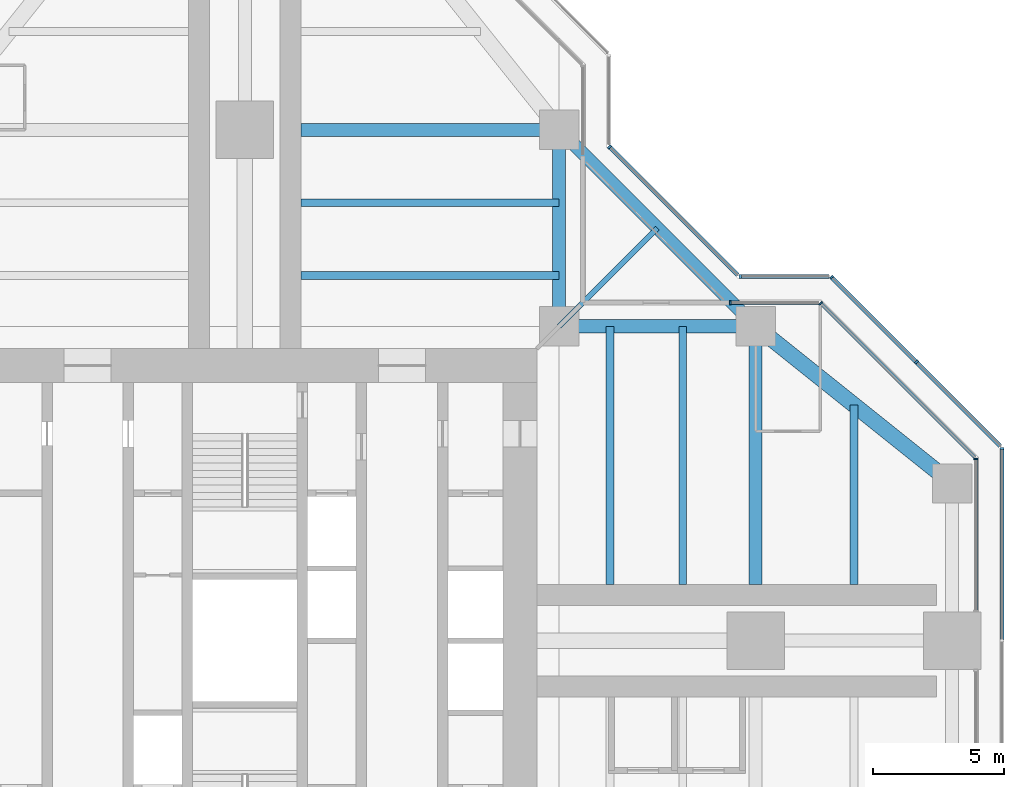
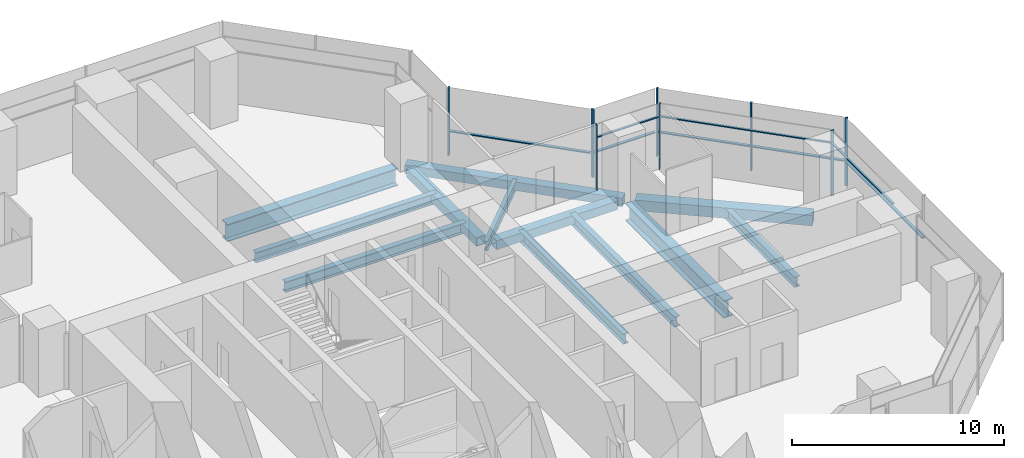
# One storey, part 8 of 17: 16 members, 12 beams, 7 elements without a shape of their own.
"""IFC4 building model written with IfcOpenShell, lengths in metres."""

import ifcopenshell
import ifcopenshell.guid

model = None  # the IFC model being written
_history = None  # IfcOwnerHistory: only IFC2X3 demands one
_inside = {}  # id of a spatial element -> (the spatial element, [elements in it])
_under = {}  # id of a project, library or spatial element -> (it, [spatial elements below it])
_declared = {}  # id of a project -> (the project, [libraries it declares])
_typed = {}  # id of a type object -> (the type object, [elements of that type])
_made_of = {}  # id of a material, layer set ... -> (it, [elements and type objects made of it])


def new_model(schema):
    """Start an empty IFC model of exactly this schema.

    Asked for "IFC4X3", IfcOpenShell would pick the latest addendum, in which some entities
    have other attributes; the version numbers below select the first issue.
    IFC2X3 requires an IfcOwnerHistory on every rooted entity: one is made here for all.
    """
    global model, _history
    if schema == "IFC4X3":
        model = ifcopenshell.file(schema_version=(4, 3, 0, 0))
    else:
        model = ifcopenshell.file(schema=schema)
    _inside.clear()
    _under.clear()
    _declared.clear()
    _typed.clear()
    _made_of.clear()
    _history = None
    if model.schema == "IFC2X3":
        org = make("IfcOrganization", Name="unknown")
        user = make(
            "IfcPersonAndOrganization",
            ThePerson=make("IfcPerson", FamilyName="unknown"),
            TheOrganization=org,
        )
        app = make(
            "IfcApplication",
            ApplicationDeveloper=org,
            Version="unknown",
            ApplicationFullName="unknown",
            ApplicationIdentifier="unknown",
        )
        _history = make(
            "IfcOwnerHistory",
            OwningUser=user,
            OwningApplication=app,
            ChangeAction="ADDED",
            CreationDate=0,
        )
    return model


def make(cls, **values):
    """One entity of the class cls with the attributes given. An attribute that is None is left unset."""
    return model.create_entity(
        cls, **{name: value for name, value in values.items() if value is not None}
    )


def rooted(cls, **values):
    """An entity with a GlobalId (a new one), such as an element, a storey or a relation."""
    return make(cls, GlobalId=ifcopenshell.guid.new(), OwnerHistory=_history, **values)


def si_unit(unit_type, name, prefix=None):
    """IfcSIUnit, for example si_unit("LENGTHUNIT", "METRE", prefix="MILLI")."""
    return make("IfcSIUnit", UnitType=unit_type, Prefix=prefix, Name=name)


def assignment(units):
    """IfcUnitAssignment: the units of a project."""
    return None if units is None else make("IfcUnitAssignment", Units=units)


def point(xyz):
    """IfcCartesianPoint."""
    return None if xyz is None else make("IfcCartesianPoint", Coordinates=xyz)


def direction(xyz):
    """IfcDirection."""
    return None if xyz is None else make("IfcDirection", DirectionRatios=xyz)


def frame(location, z_axis=None, x_axis=None):
    """IfcAxis2Placement3D, a coordinate frame: its origin and axes. An axis left out is left unset."""
    return make(
        "IfcAxis2Placement3D",
        Location=point(location),
        Axis=direction(z_axis),
        RefDirection=direction(x_axis),
    )


def frame_2d(location, x_axis=None):
    """IfcAxis2Placement2D, a coordinate frame in the plane: its origin and x axis."""
    return make(
        "IfcAxis2Placement2D", Location=point(location), RefDirection=direction(x_axis)
    )


def origin():
    """The frame at (0, 0, 0) with its axes left unset."""
    return frame((0.0, 0.0, 0.0))


def origin_2d():
    """The frame at (0, 0) in the plane with its x axis left unset."""
    return frame_2d((0.0, 0.0))


def place(relative_to, where):
    """IfcLocalPlacement: puts the frame where relative to a parent placement (None: the world)."""
    return make(
        "IfcLocalPlacement", PlacementRelTo=relative_to, RelativePlacement=where
    )


def context(
    kind, dimensions, precision=None, world=None, true_north=None, identifier=None
):
    """IfcGeometricRepresentationContext, for example the 3D "Model" context."""
    return make(
        "IfcGeometricRepresentationContext",
        ContextIdentifier=identifier,
        ContextType=kind,
        CoordinateSpaceDimension=dimensions,
        Precision=precision,
        WorldCoordinateSystem=world,
        TrueNorth=true_north,
    )


def subcontext(parent, identifier, kind, view, scale=None):
    """IfcGeometricRepresentationSubContext, for example "Body" below "Model"."""
    return make(
        "IfcGeometricRepresentationSubContext",
        ContextIdentifier=identifier,
        ContextType=kind,
        ParentContext=parent,
        TargetScale=scale,
        TargetView=view,
    )


def project(units=None, contexts=None):
    """IfcProject with its units and contexts."""
    return rooted(
        "IfcProject",
        Name="project",
        RepresentationContexts=contexts,
        UnitsInContext=assignment(units),
    )


def spatial(cls, under=None, at=None, **own):
    """A site, building, storey or space (cls), placed at a placement, below another one or the project."""
    s = rooted(cls, ObjectPlacement=at, **own)
    if under is not None:
        _under.setdefault(under.id(), (under, []))[1].append(s)
    return s


def profile(cls, at=None, kind="AREA", **sizes):
    """A parametric profile (cls). Its sizes go by their IFC names, for example OverallWidth=200.0."""
    return make(cls, ProfileType=kind, Position=at, **sizes)


def rectangle(**sizes):
    """IfcRectangleProfileDef."""
    return profile("IfcRectangleProfileDef", **sizes)


def hollow_rectangle(**sizes):
    """IfcRectangleHollowProfileDef."""
    return profile("IfcRectangleHollowProfileDef", **sizes)


def i_section(**sizes):
    """IfcIShapeProfileDef."""
    return profile("IfcIShapeProfileDef", **sizes)


def extrude(swept, where, along, depth):
    """IfcExtrudedAreaSolid: the profile swept, set in the frame where, extruded along a direction by depth."""
    return make(
        "IfcExtrudedAreaSolid",
        SweptArea=swept,
        Position=where,
        ExtrudedDirection=direction(along),
        Depth=depth,
    )


def shape(context_of_items, identifier, shape_type, items):
    """IfcShapeRepresentation: the items that make up one representation, for example the "Body"."""
    return make(
        "IfcShapeRepresentation",
        ContextOfItems=context_of_items,
        RepresentationIdentifier=identifier,
        RepresentationType=shape_type,
        Items=items,
    )


def material(Name=None, Category=None):
    """IfcMaterial."""
    return make("IfcMaterial", Name=Name, Category=Category)


def material_profile(
    of_material, cross_section, Name=None, Category=None, Priority=None
):
    """IfcMaterialProfile: a cross section and its material."""
    return make(
        "IfcMaterialProfile",
        Name=Name,
        Material=of_material,
        Profile=cross_section,
        Priority=Priority,
        Category=Category,
    )


def profile_set(profiles, Name=None, composite=None):
    """IfcMaterialProfileSet."""
    return make(
        "IfcMaterialProfileSet",
        Name=Name,
        MaterialProfiles=profiles,
        CompositeProfile=composite,
    )


def made_of(thing, what):
    """Note that an element or type object is made of a material, layer set ...; save() writes the relation."""
    if what is not None:
        _made_of.setdefault(what.id(), (what, []))[1].append(thing)
    return thing


def type_object(cls, material=None, **own):
    """A type object (cls), such as IfcWallType, which elements share."""
    return made_of(rooted(cls, **own), material)


def element(
    cls,
    number,
    at=None,
    inside=None,
    cuts=None,
    type_object=None,
    material=None,
    context=None,
    identifier="Body",
    shape_type=None,
    held_by="IfcProductDefinitionShape",
    body=None,
    shapes=None,
    **own,
):
    """One element of the class cls, such as IfcWall. Its Tag is "e" and its number.

    at: its placement. inside: the storey or other place that contains it. cuts: it is an
    opening in that element (IfcRelVoidsElement). A single representation is given by context,
    identifier, shape_type and body (its items); several are given by shapes. held_by: the class
    of the entity that holds the representations. save() writes the other relations.
    """
    e = rooted(cls, Tag="e%d" % number, ObjectPlacement=at, **own)
    if body is not None:
        shapes = [shape(context, identifier, shape_type, body)]
    if shapes is not None:
        e.Representation = make(held_by, Representations=shapes)
    if inside is not None:
        _inside.setdefault(inside.id(), (inside, []))[1].append(e)
    if cuts is not None:
        rooted(
            "IfcRelVoidsElement", RelatingBuildingElement=cuts, RelatedOpeningElement=e
        )
    if type_object is not None:
        _typed.setdefault(type_object.id(), (type_object, []))[1].append(e)
    return made_of(e, material)


def aggregate(whole, parts):
    """IfcRelAggregates: a whole, such as a stair, and the parts it consists of."""
    return rooted("IfcRelAggregates", RelatingObject=whole, RelatedObjects=parts)


def save(model, path):
    """Write the relations noted so far, then the file.

    IfcRelAggregates (storeys below a building ...), IfcRelContainedInSpatialStructure (elements
    in a storey), IfcRelDefinesByType, IfcRelAssociatesMaterial and IfcRelDeclares: one each for
    every whole, place, type object, material and project.
    """
    for whole, parts in _under.values():
        aggregate(whole, parts)
    for where, things in _inside.values():
        rooted(
            "IfcRelContainedInSpatialStructure",
            RelatedElements=things,
            RelatingStructure=where,
        )
    for kind, things in _typed.values():
        rooted("IfcRelDefinesByType", RelatedObjects=things, RelatingType=kind)
    for what, things in _made_of.values():
        rooted("IfcRelAssociatesMaterial", RelatedObjects=things, RelatingMaterial=what)
    for by, libraries in _declared.values():
        rooted("IfcRelDeclares", RelatingContext=by, RelatedDefinitions=libraries)
    model.write(path)


model = new_model("IFC4")

# Units and contexts
model_context = context("Model", 3, precision=1e-05, world=origin(), true_north=direction((0.0, 1.0)))
body_context = subcontext(model_context, "Body", "Model", "MODEL_VIEW")
ifc_project = project(units=[si_unit("LENGTHUNIT", "METRE"), si_unit("AREAUNIT", "SQUARE_METRE"), si_unit("VOLUMEUNIT", "CUBIC_METRE"), si_unit("PLANEANGLEUNIT", "RADIAN"), si_unit("MASSUNIT", "GRAM", prefix="KILO")], contexts=[model_context])

# Site, building, storey
site_placement = place(None, origin())
site = spatial("IfcSite", under=ifc_project, at=site_placement, CompositionType="ELEMENT")
building_placement = place(site_placement, origin())
building = spatial("IfcBuilding", under=site, at=building_placement, Name="Mizan Broadcast Tower", CompositionType="ELEMENT")
storey_placement = place(building_placement, frame((0.0, 0.0, 247.800048828125)))
storey = spatial("IfcBuildingStorey", under=building, at=storey_placement, Name="L58", CompositionType="ELEMENT", Elevation=247.800048828125)

# Beams
ifc_material_1 = material(Name="Steel S355", Category="steel")
ifc_material_profile_1 = material_profile(ifc_material_1, hollow_rectangle(XDim=0.5, YDim=0.5, WallThickness=0.030029296875, at=origin_2d()), Name="BOX 500x500x30")
ifc_profile_set_1 = profile_set([ifc_material_profile_1], Name="Steel S355")
beam_type_1 = type_object("IfcBeamType", Name="EDGE BEAM BOX 500x500x30", PredefinedType="SPANDREL", material=ifc_profile_set_1)
for number, where, z_axis, x_axis, name in (
    (1, (12.449951171875, 12.0, -0.380126953125), (1.0, 0.0, 0.0), (0.0, 1.0, 0.0), "Edge beam BOX 500x500x30 L58 east arm"),
    (2, (12.0, 12.449951171875, -0.380126953125), (0.0, 1.0, 0.0), (-1.0, 0.0, 0.0), "Edge beam BOX 500x500x30 L58 north arm"),
):
    element("IfcBeam", number, at=place(storey_placement, frame(where, z_axis=z_axis, x_axis=x_axis)), inside=storey, type_object=beam_type_1, Name=name, PredefinedType="SPANDREL", context=body_context, shape_type="SweptSolid", body=[
        extrude(hollow_rectangle(XDim=0.5, YDim=0.5, WallThickness=0.030029296875, at=origin_2d()), origin(), (0.0, 0.0, 1.0), 6.60009765625),
    ])
beam_1_placement = place(storey_placement, frame((19.5, 12.0, -0.380126953125), z_axis=(-0.707106781187, 0.707106781187, 0.0), x_axis=(-0.707106781187, -0.707106781187, 0.0)))
element("IfcBeam", 3, at=beam_1_placement, inside=storey, type_object=beam_type_1, Name="Winter garden edge beam L58 E", PredefinedType="SPANDREL", context=body_context, shape_type="SweptSolid", body=[
    extrude(hollow_rectangle(XDim=0.5, YDim=0.5, WallThickness=0.030029296875, at=origin_2d()), origin(), (0.0, 0.0, 1.0), 10.606689453125),
])
ifc_material_2 = material(Name="Steel S355", Category="steel")
ifc_material_profile_2 = material_profile(ifc_material_2, hollow_rectangle(XDim=0.60009765625, YDim=0.60009765625, WallThickness=0.030029296875, at=origin_2d()), Name="BOX 600x600x30")
ifc_profile_set_2 = profile_set([ifc_material_profile_2], Name="Steel S355")
beam_type_2 = type_object("IfcBeamType", Name="EDGE BEAM BOX 600x600x30", PredefinedType="SPANDREL", material=ifc_profile_set_2)
beam_2_placement = place(storey_placement, frame((19.949951171875, 11.639892578125, -0.429931640625), z_axis=(0.780885717636, -0.624673911726, 0.0), x_axis=(0.624673911726, 0.780885717636, 0.0)))
element("IfcBeam", 4, at=beam_2_placement, inside=storey, type_object=beam_type_2, Name="Edge beam BOX 600x600x30 L58 east arm", PredefinedType="SPANDREL", context=body_context, shape_type="SweptSolid", body=[
    extrude(hollow_rectangle(XDim=0.60009765625, YDim=0.60009765625, WallThickness=0.030029296875, at=origin_2d()), origin(), (0.0, 0.0, 1.0), 8.4521484375),
])
ifc_material_3 = material(Name="Steel S460", Category="steel")
ifc_material_profile_3 = material_profile(ifc_material_3, i_section(OverallWidth=0.5, OverallDepth=1.0, WebThickness=0.02490234375, FlangeThickness=0.050048828125, at=origin_2d()), Name="WPG 1000x500")
ifc_profile_set_3 = profile_set([ifc_material_profile_3], Name="Steel S460")
beam_type_3 = type_object("IfcBeamType", Name="GIRDER WPG 1000x500", PredefinedType="BEAM", material=ifc_profile_set_3)
for number, where, z_axis, x_axis, name in (
    (5, (19.5, 11.408935546875, -0.630126953125), (0.0, -1.0, 0.0), (1.0, 0.0, 0.0), "Girder WPG 1000x500 L58 east arm"),
    (6, (11.408935546875, 19.5, -0.630126953125), (-1.0, 0.0, 0.0), (0.0, -1.0, 0.0), "Girder WPG 1000x500 L58 north arm"),
):
    element("IfcBeam", number, at=place(storey_placement, frame(where, z_axis=z_axis, x_axis=x_axis)), inside=storey, type_object=beam_type_3, Name=name, PredefinedType="BEAM", context=body_context, shape_type="SweptSolid", body=[
        extrude(i_section(OverallWidth=0.5, OverallDepth=1.0, WebThickness=0.02490234375, FlangeThickness=0.050048828125, at=origin_2d()), origin(), (0.0, 0.0, 1.0), 9.259033203125),
    ])

# Curtain wall, member
ifc_material_4 = material(Name="Aluminium framed glazing", Category="aluminium")
curtain_wall_type_1 = type_object("IfcCurtainWallType", Name="INNER SKIN HIGH ZONE", PredefinedType="USERDEFINED", material=ifc_material_4)
curtain_wall_1_placement = place(storey_placement, origin())
curtain_wall_1 = element("IfcCurtainWall", 7, at=curtain_wall_1_placement, inside=storey, type_object=curtain_wall_type_1, Name="Inner skin high zone L58 E end", ObjectType="INNER SKIN HIGH ZONE", PredefinedType="USERDEFINED")
ifc_material_5 = material(Name="Aluminium, pale anodised", Category="aluminium")
ifc_material_profile_4 = material_profile(ifc_material_5, rectangle(XDim=0.159912109375, YDim=0.06005859375, at=origin_2d()), Name="MULLION 160x60")
ifc_profile_set_4 = profile_set([ifc_material_profile_4], Name="Aluminium, pale anodised")
member_type_1 = type_object("IfcMemberType", Name="INNER SKIN MULLION 60x160", PredefinedType="MULLION", material=ifc_profile_set_4)
member_1_placement = place(storey_placement, frame((27.89990234375, 6.928466796875, 0.0), z_axis=(0.0, 0.0, 1.0), x_axis=(-1.0, 0.0, 0.0)))
member_1 = element("IfcMember", 8, at=member_1_placement, type_object=member_type_1, Name="Inner skin high zone L58 E end mullion 2", PredefinedType="MULLION", context=body_context, shape_type="SweptSolid", body=[
    extrude(rectangle(XDim=0.159912109375, YDim=0.06005859375, at=origin_2d()), origin(), (0.0, 0.0, 1.0), 3.77001953125),
])

curtain_wall_2_placement = place(storey_placement, origin())
curtain_wall_2 = element("IfcCurtainWall", 9, at=curtain_wall_2_placement, inside=storey, type_object=curtain_wall_type_1, Name="Inner skin high zone L58 E chamfer", ObjectType="INNER SKIN HIGH ZONE", PredefinedType="USERDEFINED")
member_2_placement = place(storey_placement, frame((21.979736328125, 12.87890625, 0.0), z_axis=(0.0, 0.0, 1.0), x_axis=(-0.707106781187, -0.707106781187, 0.0)))
member_2 = element("IfcMember", 10, at=member_2_placement, type_object=member_type_1, Name="Inner skin high zone L58 E chamfer mullion 2", PredefinedType="MULLION", context=body_context, shape_type="SweptSolid", body=[
    extrude(rectangle(XDim=0.159912109375, YDim=0.06005859375, at=origin_2d()), origin(), (0.0, 0.0, 1.0), 3.77001953125),
])

curtain_wall_3_placement = place(storey_placement, origin())
curtain_wall_3 = element("IfcCurtainWall", 11, at=curtain_wall_3_placement, inside=storey, type_object=curtain_wall_type_1, Name="Inner skin high zone L58 E side", ObjectType="INNER SKIN HIGH ZONE", PredefinedType="USERDEFINED")
member_3_placement = place(storey_placement, frame((18.530029296875, 12.89990234375, 0.0), z_axis=(0.0, 0.0, 1.0), x_axis=(0.0, -1.0, 0.0)))
member_3 = element("IfcMember", 12, at=member_3_placement, type_object=member_type_1, Name="Inner skin high zone L58 E side mullion 2", PredefinedType="MULLION", context=body_context, shape_type="SweptSolid", body=[
    extrude(rectangle(XDim=0.159912109375, YDim=0.06005859375, at=origin_2d()), origin(), (0.0, 0.0, 1.0), 3.77001953125),
])

# Member
ifc_material_6 = material(Name="Aluminium, pale anodised", Category="aluminium")
ifc_material_profile_5 = material_profile(ifc_material_6, rectangle(XDim=0.1201171875, YDim=0.06005859375, at=origin_2d()), Name="TRANSOM 120x60")
ifc_profile_set_5 = profile_set([ifc_material_profile_5], Name="Aluminium, pale anodised")
member_type_2 = type_object("IfcMemberType", Name="INNER SKIN TRANSOM 60x120", PredefinedType="USERDEFINED", material=ifc_profile_set_5)
member_4_placement = place(storey_placement, frame((27.89990234375, 1.159912109375, 3.030029296875), z_axis=(0.0, 1.0, 0.0), x_axis=(-1.0, 0.0, 0.0)))
member_4 = element("IfcMember", 13, at=member_4_placement, type_object=member_type_2, Name="Inner skin high zone L58 E end transom 1.1", ObjectType="TRANSOM", PredefinedType="USERDEFINED", context=body_context, shape_type="SweptSolid", body=[
    extrude(rectangle(XDim=0.1201171875, YDim=0.06005859375, at=origin_2d()), origin(), (0.0, 0.0, 1.0), 5.73876953125),
])

aggregate(curtain_wall_1, [member_1, member_4])

member_5_placement = place(storey_placement, frame((27.857666015625, 7.0009765625, 3.030029296875), z_axis=(-0.707106781187, 0.707106781187, 0.0), x_axis=(-0.707106781187, -0.707106781187, 0.0)))
member_5 = element("IfcMember", 14, at=member_5_placement, type_object=member_type_2, Name="Inner skin high zone L58 E chamfer transom 1.1", ObjectType="TRANSOM", PredefinedType="USERDEFINED", context=body_context, shape_type="SweptSolid", body=[
    extrude(rectangle(XDim=0.1201171875, YDim=0.06005859375, at=origin_2d()), origin(), (0.0, 0.0, 1.0), 8.28271484375),
])

aggregate(curtain_wall_2, [member_2, member_5])

member_6_placement = place(storey_placement, frame((21.898681640625, 12.89990234375, 3.030029296875), z_axis=(-1.0, 0.0, 0.0), x_axis=(0.0, -1.0, 0.0)))
member_6 = element("IfcMember", 15, at=member_6_placement, type_object=member_type_2, Name="Inner skin high zone L58 E side transom 1.1", ObjectType="TRANSOM", PredefinedType="USERDEFINED", context=body_context, shape_type="SweptSolid", body=[
    extrude(rectangle(XDim=0.1201171875, YDim=0.06005859375, at=origin_2d()), origin(), (0.0, 0.0, 1.0), 3.338623046875),
])

aggregate(curtain_wall_3, [member_3, member_6])

# Curtain wall, member
ifc_material_7 = material(Name="Aluminium framed glazing", Category="aluminium")
curtain_wall_type_2 = type_object("IfcCurtainWallType", Name="OUTER SKIN", PredefinedType="USERDEFINED", material=ifc_material_7)
curtain_wall_4_placement = place(storey_placement, origin())
curtain_wall_4 = element("IfcCurtainWall", 16, at=curtain_wall_4_placement, inside=storey, type_object=curtain_wall_type_2, Name="Outer skin L58 E end", ObjectType="OUTER SKIN", PredefinedType="USERDEFINED")
ifc_material_8 = material(Name="Aluminium, pale anodised", Category="aluminium")
ifc_material_profile_6 = material_profile(ifc_material_8, rectangle(XDim=0.159912109375, YDim=0.080078125, at=origin_2d()), Name="MULLION 160x80")
ifc_profile_set_6 = profile_set([ifc_material_profile_6], Name="Aluminium, pale anodised")
member_type_3 = type_object("IfcMemberType", Name="OUTER SKIN MULLION 80x160", PredefinedType="MULLION", material=ifc_profile_set_6)
member_7_placement = place(storey_placement, frame((28.89990234375, 7.332763671875, 0.0), z_axis=(0.0, 0.0, 1.0), x_axis=(-1.0, 0.0, 0.0)))
member_7 = element("IfcMember", 17, at=member_7_placement, type_object=member_type_3, Name="Outer skin L58 E end mullion 3", PredefinedType="MULLION", context=body_context, shape_type="SweptSolid", body=[
    extrude(rectangle(XDim=0.159912109375, YDim=0.080078125, at=origin_2d()), origin(), (0.0, 0.0, 1.0), 3.89990234375),
])

# Curtain wall, members
curtain_wall_5_placement = place(storey_placement, origin())
curtain_wall_5 = element("IfcCurtainWall", 18, at=curtain_wall_5_placement, inside=storey, type_object=curtain_wall_type_2, Name="Outer skin L58 E chamfer", ObjectType="OUTER SKIN", PredefinedType="USERDEFINED")
member_8_placement = place(storey_placement, frame((25.636474609375, 10.636474609375, 0.0), z_axis=(0.0, 0.0, 1.0), x_axis=(-0.707106781187, -0.707106781187, 0.0)))
member_8 = element("IfcMember", 19, at=member_8_placement, type_object=member_type_3, Name="Outer skin L58 E chamfer mullion 2", PredefinedType="MULLION", context=body_context, shape_type="SweptSolid", body=[
    extrude(rectangle(XDim=0.159912109375, YDim=0.080078125, at=origin_2d()), origin(), (0.0, 0.0, 1.0), 3.89990234375),
])
member_9_placement = place(storey_placement, frame((22.401123046875, 13.871826171875, 0.0), z_axis=(0.0, 0.0, 1.0), x_axis=(-0.707106781187, -0.707106781187, 0.0)))
member_9 = element("IfcMember", 20, at=member_9_placement, type_object=member_type_3, Name="Outer skin L58 E chamfer mullion 3", PredefinedType="MULLION", context=body_context, shape_type="SweptSolid", body=[
    extrude(rectangle(XDim=0.159912109375, YDim=0.080078125, at=origin_2d()), origin(), (0.0, 0.0, 1.0), 3.89990234375),
])

# Curtain wall, member
curtain_wall_6_placement = place(storey_placement, origin())
curtain_wall_6 = element("IfcCurtainWall", 21, at=curtain_wall_6_placement, inside=storey, type_object=curtain_wall_type_2, Name="Outer skin L58 E side", ObjectType="OUTER SKIN", PredefinedType="USERDEFINED")
member_10_placement = place(storey_placement, frame((18.912841796875, 13.89990234375, 0.0), z_axis=(0.0, 0.0, 1.0), x_axis=(0.0, -1.0, 0.0)))
member_10 = element("IfcMember", 22, at=member_10_placement, type_object=member_type_3, Name="Outer skin L58 E side mullion 2", PredefinedType="MULLION", context=body_context, shape_type="SweptSolid", body=[
    extrude(rectangle(XDim=0.159912109375, YDim=0.080078125, at=origin_2d()), origin(), (0.0, 0.0, 1.0), 3.89990234375),
])

curtain_wall_7_placement = place(storey_placement, origin())
curtain_wall_7 = element("IfcCurtainWall", 23, at=curtain_wall_7_placement, inside=storey, type_object=curtain_wall_type_2, Name="Outer skin L58 E chamfer", ObjectType="OUTER SKIN", PredefinedType="USERDEFINED")
member_11_placement = place(storey_placement, frame((13.92822265625, 18.844482421875, 0.0), z_axis=(0.0, 0.0, 1.0), x_axis=(-0.707106781187, -0.707106781187, 0.0)))
member_11 = element("IfcMember", 24, at=member_11_placement, type_object=member_type_3, Name="Outer skin L58 E chamfer mullion 2", PredefinedType="MULLION", context=body_context, shape_type="SweptSolid", body=[
    extrude(rectangle(XDim=0.159912109375, YDim=0.080078125, at=origin_2d()), origin(), (0.0, 0.0, 1.0), 3.89990234375),
])

# Member
ifc_material_9 = material(Name="Aluminium, pale anodised", Category="aluminium")
ifc_material_profile_7 = material_profile(ifc_material_9, rectangle(XDim=0.159912109375, YDim=0.06005859375, at=origin_2d()), Name="TRANSOM 160x60")
ifc_profile_set_7 = profile_set([ifc_material_profile_7], Name="Aluminium, pale anodised")
member_type_4 = type_object("IfcMemberType", Name="OUTER SKIN TRANSOM 60x160", PredefinedType="USERDEFINED", material=ifc_profile_set_7)
member_12_placement = place(storey_placement, frame((28.89990234375, 0.0400390625, 1.39990234375), z_axis=(0.0, 1.0, 0.0), x_axis=(-1.0, 0.0, 0.0)))
member_12 = element("IfcMember", 25, at=member_12_placement, type_object=member_type_4, Name="Outer skin L58 E end transom 2.1", ObjectType="TRANSOM", PredefinedType="USERDEFINED", context=body_context, shape_type="SweptSolid", body=[
    extrude(rectangle(XDim=0.159912109375, YDim=0.06005859375, at=origin_2d()), origin(), (0.0, 0.0, 1.0), 7.252685546875),
])

aggregate(curtain_wall_4, [member_7, member_12])

member_13_placement = place(storey_placement, frame((28.843505859375, 7.429443359375, 1.39990234375), z_axis=(-0.707106781187, 0.707106781187, 0.0), x_axis=(-0.707106781187, -0.707106781187, 0.0)))
member_13 = element("IfcMember", 26, at=member_13_placement, type_object=member_type_4, Name="Outer skin L58 E chamfer transom 1.1", ObjectType="TRANSOM", PredefinedType="USERDEFINED", context=body_context, shape_type="SweptSolid", body=[
    extrude(rectangle(XDim=0.159912109375, YDim=0.06005859375, at=origin_2d()), origin(), (0.0, 0.0, 1.0), 4.495361328125),
])

member_14_placement = place(storey_placement, frame((25.608154296875, 10.664794921875, 1.39990234375), z_axis=(-0.707106781187, 0.707106781187, 0.0), x_axis=(-0.707106781187, -0.707106781187, 0.0)))
member_14 = element("IfcMember", 27, at=member_14_placement, type_object=member_type_4, Name="Outer skin L58 E chamfer transom 2.1", ObjectType="TRANSOM", PredefinedType="USERDEFINED", context=body_context, shape_type="SweptSolid", body=[
    extrude(rectangle(XDim=0.159912109375, YDim=0.06005859375, at=origin_2d()), origin(), (0.0, 0.0, 1.0), 4.495361328125),
])

aggregate(curtain_wall_5, [member_8, member_9, member_13, member_14])

member_15_placement = place(storey_placement, frame((22.292724609375, 13.89990234375, 1.39990234375), z_axis=(-1.0, 0.0, 0.0), x_axis=(0.0, -1.0, 0.0)))
member_15 = element("IfcMember", 28, at=member_15_placement, type_object=member_type_4, Name="Outer skin L58 E side transom 1.1", ObjectType="TRANSOM", PredefinedType="USERDEFINED", context=body_context, shape_type="SweptSolid", body=[
    extrude(rectangle(XDim=0.159912109375, YDim=0.06005859375, at=origin_2d()), origin(), (0.0, 0.0, 1.0), 3.33984375),
])

aggregate(curtain_wall_6, [member_10, member_15])

member_16_placement = place(storey_placement, frame((18.816162109375, 13.95654296875, 1.39990234375), z_axis=(-0.707106781187, 0.707106781187, 0.0), x_axis=(-0.707106781187, -0.707106781187, 0.0)))
member_16 = element("IfcMember", 29, at=member_16_placement, type_object=member_type_4, Name="Outer skin L58 E chamfer transom 1.1", ObjectType="TRANSOM", PredefinedType="USERDEFINED", context=body_context, shape_type="SweptSolid", body=[
    extrude(rectangle(XDim=0.159912109375, YDim=0.06005859375, at=origin_2d()), origin(), (0.0, 0.0, 1.0), 6.87255859375),
])

aggregate(curtain_wall_7, [member_11, member_16])

# Beams
ifc_material_10 = material(Name="Steel S355", Category="steel")
ifc_material_profile_8 = material_profile(ifc_material_10, i_section(OverallWidth=0.300048828125, OverallDepth=0.590087890625, WebThickness=0.012939453125, FlangeThickness=0.02490234375, FilletRadius=0.027099609375, at=origin_2d()), Name="HEA 600")
ifc_profile_set_8 = profile_set([ifc_material_profile_8], Name="Steel S355")
beam_type_4 = type_object("IfcBeamType", Name="SECONDARY BEAM HEA 600", PredefinedType="JOIST", material=ifc_profile_set_8)
for number, where, z_axis, x_axis, name in (
    (30, (13.933349609375, 12.0, -0.425048828125), (0.0, -1.0, 0.0), (1.0, 0.0, 0.0), "Secondary beam HEA 600 L58 east arm"),
    (31, (16.716552734375, 12.0, -0.425048828125), (0.0, -1.0, 0.0), (1.0, 0.0, 0.0), "Secondary beam HEA 600 L58 east arm"),
):
    element("IfcBeam", number, at=place(storey_placement, frame(where, z_axis=z_axis, x_axis=x_axis)), inside=storey, type_object=beam_type_4, Name=name, PredefinedType="JOIST", context=body_context, shape_type="SweptSolid", body=[
        extrude(i_section(OverallWidth=0.300048828125, OverallDepth=0.590087890625, WebThickness=0.012939453125, FlangeThickness=0.02490234375, FilletRadius=0.027099609375, at=origin_2d()), origin(), (0.0, 0.0, 1.0), 9.85009765625),
    ])
beam_3_placement = place(storey_placement, frame((23.25, 9.0, -0.425048828125), z_axis=(0.0, -1.0, 0.0), x_axis=(1.0, 0.0, 0.0)))
element("IfcBeam", 32, at=beam_3_placement, inside=storey, type_object=beam_type_4, Name="Secondary beam HEA 600 L58 east arm", PredefinedType="JOIST", context=body_context, shape_type="SweptSolid", body=[
    extrude(i_section(OverallWidth=0.300048828125, OverallDepth=0.590087890625, WebThickness=0.012939453125, FlangeThickness=0.02490234375, FilletRadius=0.027099609375, at=origin_2d()), origin(), (0.0, 0.0, 1.0), 6.85009765625),
])
for number, where, z_axis, x_axis, name in (
    (33, (12.0, 13.933349609375, -0.425048828125), (-1.0, 0.0, 0.0), (0.0, -1.0, 0.0), "Secondary beam HEA 600 L58 north arm"),
    (34, (12.0, 16.716552734375, -0.425048828125), (-1.0, 0.0, 0.0), (0.0, -1.0, 0.0), "Secondary beam HEA 600 L58 north arm"),
):
    element("IfcBeam", number, at=place(storey_placement, frame(where, z_axis=z_axis, x_axis=x_axis)), inside=storey, type_object=beam_type_4, Name=name, PredefinedType="JOIST", context=body_context, shape_type="SweptSolid", body=[
        extrude(i_section(OverallWidth=0.300048828125, OverallDepth=0.590087890625, WebThickness=0.012939453125, FlangeThickness=0.02490234375, FilletRadius=0.027099609375, at=origin_2d()), origin(), (0.0, 0.0, 1.0), 9.85009765625),
    ])
ifc_material_11 = material(Name="Steel S355", Category="steel")
ifc_material_profile_9 = material_profile(ifc_material_11, i_section(OverallWidth=0.2099609375, OverallDepth=0.550048828125, WebThickness=0.010986328125, FlangeThickness=0.01708984375, FilletRadius=0.02392578125, at=origin_2d()), Name="IPE 550")
ifc_profile_set_9 = profile_set([ifc_material_profile_9], Name="Steel S355")
beam_type_5 = type_object("IfcBeamType", Name="SECONDARY BEAM IPE 550", PredefinedType="JOIST", material=ifc_profile_set_9)
beam_4_placement = place(storey_placement, frame((12.0, 12.0, -0.405029296875), z_axis=(0.707106781187, 0.707106781187, 0.0), x_axis=(-0.707106781187, 0.707106781187, 0.0)))
element("IfcBeam", 35, at=beam_4_placement, inside=storey, type_object=beam_type_5, Name="Winter garden beam L58 E", PredefinedType="JOIST", context=body_context, shape_type="SweptSolid", body=[
    extrude(i_section(OverallWidth=0.2099609375, OverallDepth=0.550048828125, WebThickness=0.010986328125, FlangeThickness=0.01708984375, FilletRadius=0.02392578125, at=origin_2d()), origin(), (0.0, 0.0, 1.0), 5.30322265625),
])

save(model, "model.ifc")
